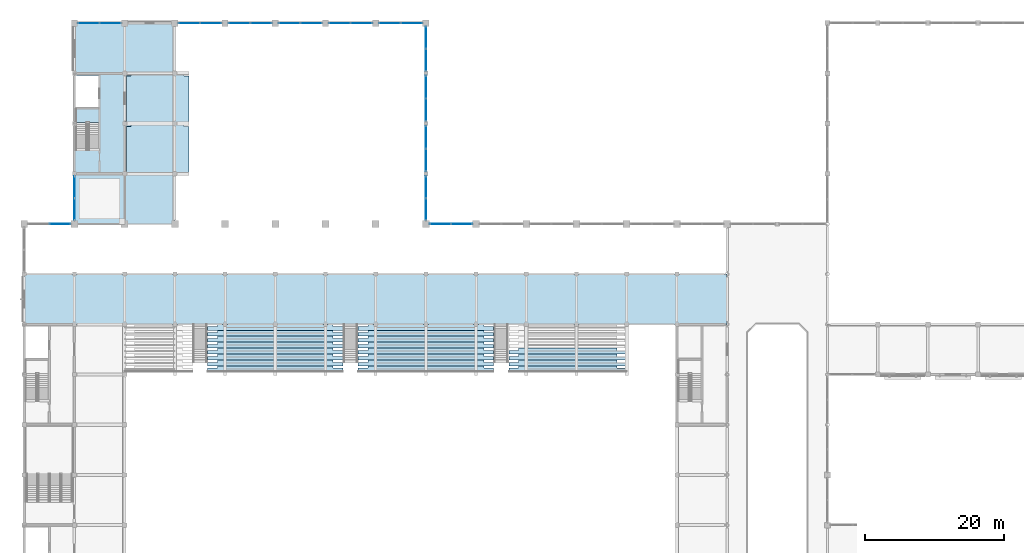
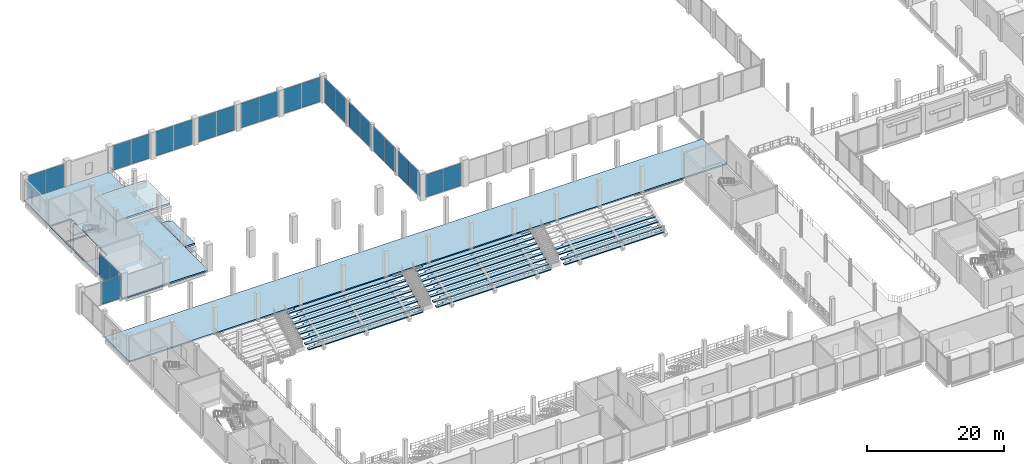
# One storey, part 57 of 99: 25 plates, 25 slabs, 14 elements without a shape of their own.
"""IFC4 building model written with IfcOpenShell, lengths in metres."""

from ifc_helpers import new_model, si_unit, direction, frame, origin, origin_2d, place, context, subcontext, project, spatial, polyline, rectangle, outline, extrude, material, layer, layer_set, type_object, element, aggregate, save


model = new_model("IFC4")

# Units and contexts
model_context = context("Model", 3, precision=1e-05, world=origin(), true_north=direction((0.0, 1.0)))
body_context = subcontext(model_context, "Body", "Model", "MODEL_VIEW")
ifc_project = project(units=[si_unit("LENGTHUNIT", "METRE"), si_unit("AREAUNIT", "SQUARE_METRE"), si_unit("VOLUMEUNIT", "CUBIC_METRE"), si_unit("PLANEANGLEUNIT", "RADIAN"), si_unit("MASSUNIT", "GRAM", prefix="KILO")], contexts=[model_context])

# Site, building, storey
site_placement = place(None, origin())
site = spatial("IfcSite", under=ifc_project, at=site_placement, CompositionType="ELEMENT")
building_placement = place(site_placement, origin())
building = spatial("IfcBuilding", under=site, at=building_placement, Name="Vesperath Aquatics Centre", CompositionType="ELEMENT")
storey_placement = place(building_placement, frame((0.0, 0.0, 5.39990234375)))
storey = spatial("IfcBuildingStorey", under=building, at=storey_placement, Name="L01", CompositionType="ELEMENT", Elevation=5.39990234375)

# Curtain wall, plate
ifc_material_1 = material(Name="Thermally broken anodised bronze aluminium curtain wall", Category="aluminium")
curtain_wall_type_1 = type_object("IfcCurtainWallType", Name="CW-02", PredefinedType="NOTDEFINED", material=ifc_material_1)
curtain_wall_1_placement = place(storey_placement, origin())
curtain_wall_1 = element("IfcCurtainWall", 1, at=curtain_wall_1_placement, inside=storey, type_object=curtain_wall_type_1, Name="Facade Curtain Wall CW02 L01_N_00_12", PredefinedType="NOTDEFINED")
ifc_material_2 = material(Name="Triple low-E argon insulated vision glass", Category="glass")
ifc_layer_1 = layer(ifc_material_2, 0.035888671875)
ifc_layer_set_1 = layer_set([ifc_layer_1], Name="Triple low-E argon insulated vision glass")
plate_type_1 = type_object("IfcPlateType", Name="PT-CWP02", PredefinedType="CURTAIN_PANEL", material=ifc_layer_set_1)
plate_1_placement = place(storey_placement, frame((5.13134765625, 86.39990234375, 0.0751953125), z_axis=(0.0, 0.0, 1.0), x_axis=(1.0, 0.0, 0.0)))
plate_1 = element("IfcPlate", 2, at=plate_1_placement, type_object=plate_type_1, Name="CW02 panel 2.1", PredefinedType="CURTAIN_PANEL", context=body_context, shape_type="SweptSolid", body=[
    extrude(rectangle(XDim=2.987548828125, YDim=0.035888671875, at=origin_2d()), origin(), (0.0, 0.0, 1.0), 4.0400390625),
])
aggregate(curtain_wall_1, [plate_1])

# Curtain wall, plates
curtain_wall_2_placement = place(storey_placement, origin())
curtain_wall_2 = element("IfcCurtainWall", 3, at=curtain_wall_2_placement, inside=storey, type_object=curtain_wall_type_1, Name="Facade Curtain Wall CW02 L01_N_08_12", PredefinedType="NOTDEFINED")
plate_2_placement = place(storey_placement, frame((59.668701171875, 86.39990234375, 0.0751953125), z_axis=(0.0, 0.0, 1.0), x_axis=(1.0, 0.0, 0.0)))
plate_2 = element("IfcPlate", 4, at=plate_2_placement, type_object=plate_type_1, Name="CW02 panel 1.1", PredefinedType="CURTAIN_PANEL", context=body_context, shape_type="SweptSolid", body=[
    extrude(rectangle(XDim=2.987548828125, YDim=0.035888671875, at=origin_2d()), origin(), (0.0, 0.0, 1.0), 4.0400390625),
])
plate_3_placement = place(storey_placement, frame((62.731201171875, 86.39990234375, 0.0751953125), z_axis=(0.0, 0.0, 1.0), x_axis=(1.0, 0.0, 0.0)))
plate_3 = element("IfcPlate", 5, at=plate_3_placement, type_object=plate_type_1, Name="CW02 panel 2.1", PredefinedType="CURTAIN_PANEL", context=body_context, shape_type="SweptSolid", body=[
    extrude(rectangle(XDim=2.987548828125, YDim=0.035888671875, at=origin_2d()), origin(), (0.0, 0.0, 1.0), 4.0400390625),
])
aggregate(curtain_wall_2, [plate_2, plate_3])

curtain_wall_3_placement = place(storey_placement, origin())
curtain_wall_3 = element("IfcCurtainWall", 6, at=curtain_wall_3_placement, inside=storey, type_object=curtain_wall_type_1, Name="Facade Curtain Wall CW02 L01_N_01_16", PredefinedType="NOTDEFINED")
plate_4_placement = place(storey_placement, frame((9.24365234375, 115.199951171875, 0.0751953125), z_axis=(0.0, 0.0, 1.0), x_axis=(1.0, 0.0, 0.0)))
plate_4 = element("IfcPlate", 7, at=plate_4_placement, type_object=plate_type_1, Name="CW02 panel 1.1", PredefinedType="CURTAIN_PANEL", context=body_context, shape_type="SweptSolid", body=[
    extrude(rectangle(XDim=3.03759765625, YDim=0.035888671875, at=origin_2d()), origin(), (0.0, 0.0, 1.0), 4.0400390625),
])
plate_5_placement = place(storey_placement, frame((12.356201171875, 115.199951171875, 0.0751953125), z_axis=(0.0, 0.0, 1.0), x_axis=(1.0, 0.0, 0.0)))
plate_5 = element("IfcPlate", 8, at=plate_5_placement, type_object=plate_type_1, Name="CW02 panel 2.1", PredefinedType="CURTAIN_PANEL", context=body_context, shape_type="SweptSolid", body=[
    extrude(rectangle(XDim=3.03759765625, YDim=0.035888671875, at=origin_2d()), origin(), (0.0, 0.0, 1.0), 4.0400390625),
])
aggregate(curtain_wall_3, [plate_4, plate_5])

curtain_wall_4_placement = place(storey_placement, origin())
curtain_wall_4 = element("IfcCurtainWall", 9, at=curtain_wall_4_placement, inside=storey, type_object=curtain_wall_type_1, Name="Facade Curtain Wall CW02 L01_N_03_16", PredefinedType="NOTDEFINED")
plate_6_placement = place(storey_placement, frame((23.643798828125, 115.199951171875, 0.0751953125), z_axis=(0.0, 0.0, 1.0), x_axis=(1.0, 0.0, 0.0)))
plate_6 = element("IfcPlate", 10, at=plate_6_placement, type_object=plate_type_1, Name="CW02 panel 1.1", PredefinedType="CURTAIN_PANEL", context=body_context, shape_type="SweptSolid", body=[
    extrude(rectangle(XDim=3.03759765625, YDim=0.035888671875, at=origin_2d()), origin(), (0.0, 0.0, 1.0), 4.389892578125),
])
plate_7_placement = place(storey_placement, frame((26.75634765625, 115.199951171875, 0.0751953125), z_axis=(0.0, 0.0, 1.0), x_axis=(1.0, 0.0, 0.0)))
plate_7 = element("IfcPlate", 11, at=plate_7_placement, type_object=plate_type_1, Name="CW02 panel 2.1", PredefinedType="CURTAIN_PANEL", context=body_context, shape_type="SweptSolid", body=[
    extrude(rectangle(XDim=3.03759765625, YDim=0.035888671875, at=origin_2d()), origin(), (0.0, 0.0, 1.0), 4.389892578125),
])
aggregate(curtain_wall_4, [plate_6, plate_7])

curtain_wall_5_placement = place(storey_placement, origin())
curtain_wall_5 = element("IfcCurtainWall", 12, at=curtain_wall_5_placement, inside=storey, type_object=curtain_wall_type_1, Name="Facade Curtain Wall CW02 L01_N_04_16", PredefinedType="NOTDEFINED")
plate_8_placement = place(storey_placement, frame((30.84375, 115.199951171875, 0.0751953125), z_axis=(0.0, 0.0, 1.0), x_axis=(1.0, 0.0, 0.0)))
plate_8 = element("IfcPlate", 13, at=plate_8_placement, type_object=plate_type_1, Name="CW02 panel 1.1", PredefinedType="CURTAIN_PANEL", context=body_context, shape_type="SweptSolid", body=[
    extrude(rectangle(XDim=3.03759765625, YDim=0.035888671875, at=origin_2d()), origin(), (0.0, 0.0, 1.0), 4.389892578125),
])
plate_9_placement = place(storey_placement, frame((33.956298828125, 115.199951171875, 0.0751953125), z_axis=(0.0, 0.0, 1.0), x_axis=(1.0, 0.0, 0.0)))
plate_9 = element("IfcPlate", 14, at=plate_9_placement, type_object=plate_type_1, Name="CW02 panel 2.1", PredefinedType="CURTAIN_PANEL", context=body_context, shape_type="SweptSolid", body=[
    extrude(rectangle(XDim=3.03759765625, YDim=0.035888671875, at=origin_2d()), origin(), (0.0, 0.0, 1.0), 4.389892578125),
])
aggregate(curtain_wall_5, [plate_8, plate_9])

curtain_wall_6_placement = place(storey_placement, origin())
curtain_wall_6 = element("IfcCurtainWall", 15, at=curtain_wall_6_placement, inside=storey, type_object=curtain_wall_type_1, Name="Facade Curtain Wall CW02 L01_N_05_16", PredefinedType="NOTDEFINED")
plate_10_placement = place(storey_placement, frame((38.043701171875, 115.199951171875, 0.0751953125), z_axis=(0.0, 0.0, 1.0), x_axis=(1.0, 0.0, 0.0)))
plate_10 = element("IfcPlate", 16, at=plate_10_placement, type_object=plate_type_1, Name="CW02 panel 1.1", PredefinedType="CURTAIN_PANEL", context=body_context, shape_type="SweptSolid", body=[
    extrude(rectangle(XDim=3.03759765625, YDim=0.035888671875, at=origin_2d()), origin(), (0.0, 0.0, 1.0), 4.389892578125),
])
plate_11_placement = place(storey_placement, frame((41.15625, 115.199951171875, 0.0751953125), z_axis=(0.0, 0.0, 1.0), x_axis=(1.0, 0.0, 0.0)))
plate_11 = element("IfcPlate", 17, at=plate_11_placement, type_object=plate_type_1, Name="CW02 panel 2.1", PredefinedType="CURTAIN_PANEL", context=body_context, shape_type="SweptSolid", body=[
    extrude(rectangle(XDim=3.03759765625, YDim=0.035888671875, at=origin_2d()), origin(), (0.0, 0.0, 1.0), 4.389892578125),
])
aggregate(curtain_wall_6, [plate_10, plate_11])

curtain_wall_7_placement = place(storey_placement, origin())
curtain_wall_7 = element("IfcCurtainWall", 18, at=curtain_wall_7_placement, inside=storey, type_object=curtain_wall_type_1, Name="Facade Curtain Wall CW02 L01_N_06_16", PredefinedType="NOTDEFINED")
plate_12_placement = place(storey_placement, frame((45.24365234375, 115.199951171875, 0.0751953125), z_axis=(0.0, 0.0, 1.0), x_axis=(1.0, 0.0, 0.0)))
plate_12 = element("IfcPlate", 19, at=plate_12_placement, type_object=plate_type_1, Name="CW02 panel 1.1", PredefinedType="CURTAIN_PANEL", context=body_context, shape_type="SweptSolid", body=[
    extrude(rectangle(XDim=3.03759765625, YDim=0.035888671875, at=origin_2d()), origin(), (0.0, 0.0, 1.0), 4.389892578125),
])
plate_13_placement = place(storey_placement, frame((48.356201171875, 115.199951171875, 0.0751953125), z_axis=(0.0, 0.0, 1.0), x_axis=(1.0, 0.0, 0.0)))
plate_13 = element("IfcPlate", 20, at=plate_13_placement, type_object=plate_type_1, Name="CW02 panel 2.1", PredefinedType="CURTAIN_PANEL", context=body_context, shape_type="SweptSolid", body=[
    extrude(rectangle(XDim=3.03759765625, YDim=0.035888671875, at=origin_2d()), origin(), (0.0, 0.0, 1.0), 4.389892578125),
])
aggregate(curtain_wall_7, [plate_12, plate_13])

curtain_wall_8_placement = place(storey_placement, origin())
curtain_wall_8 = element("IfcCurtainWall", 21, at=curtain_wall_8_placement, inside=storey, type_object=curtain_wall_type_1, Name="Facade Curtain Wall CW02 L01_N_07_16", PredefinedType="NOTDEFINED")
plate_14_placement = place(storey_placement, frame((52.44384765625, 115.199951171875, 0.0751953125), z_axis=(0.0, 0.0, 1.0), x_axis=(1.0, 0.0, 0.0)))
plate_14 = element("IfcPlate", 22, at=plate_14_placement, type_object=plate_type_1, Name="CW02 panel 1.1", PredefinedType="CURTAIN_PANEL", context=body_context, shape_type="SweptSolid", body=[
    extrude(rectangle(XDim=3.03759765625, YDim=0.035888671875, at=origin_2d()), origin(), (0.0, 0.0, 1.0), 4.389892578125),
])
plate_15_placement = place(storey_placement, frame((55.55615234375, 115.199951171875, 0.0751953125), z_axis=(0.0, 0.0, 1.0), x_axis=(1.0, 0.0, 0.0)))
plate_15 = element("IfcPlate", 23, at=plate_15_placement, type_object=plate_type_1, Name="CW02 panel 2.1", PredefinedType="CURTAIN_PANEL", context=body_context, shape_type="SweptSolid", body=[
    extrude(rectangle(XDim=3.03759765625, YDim=0.035888671875, at=origin_2d()), origin(), (0.0, 0.0, 1.0), 4.389892578125),
])
aggregate(curtain_wall_8, [plate_14, plate_15])

curtain_wall_9_placement = place(storey_placement, origin())
curtain_wall_9 = element("IfcCurtainWall", 24, at=curtain_wall_9_placement, inside=storey, type_object=curtain_wall_type_1, Name="Facade Curtain Wall CW02 L01_W_01_12", PredefinedType="NOTDEFINED")
plate_16_placement = place(storey_placement, frame((7.199951171875, 88.518798828125, 0.0751953125), z_axis=(0.0, 0.0, 1.0), x_axis=(0.0, 1.0, 0.0)))
plate_16 = element("IfcPlate", 25, at=plate_16_placement, type_object=plate_type_1, Name="CW02 panel 1.1", PredefinedType="CURTAIN_PANEL", context=body_context, shape_type="SweptSolid", body=[
    extrude(rectangle(XDim=3.08740234375, YDim=0.035888671875, at=origin_2d()), origin(), (0.0, 0.0, 1.0), 3.802001953125),
])
plate_17_placement = place(storey_placement, frame((7.199951171875, 91.68115234375, 0.0751953125), z_axis=(0.0, 0.0, 1.0), x_axis=(0.0, 1.0, 0.0)))
plate_17 = element("IfcPlate", 26, at=plate_17_placement, type_object=plate_type_1, Name="CW02 panel 2.1", PredefinedType="CURTAIN_PANEL", context=body_context, shape_type="SweptSolid", body=[
    extrude(rectangle(XDim=3.08740234375, YDim=0.035888671875, at=origin_2d()), origin(), (0.0, 0.0, 1.0), 3.802001953125),
])
aggregate(curtain_wall_9, [plate_16, plate_17])

curtain_wall_10_placement = place(storey_placement, origin())
curtain_wall_10 = element("IfcCurtainWall", 27, at=curtain_wall_10_placement, inside=storey, type_object=curtain_wall_type_1, Name="Facade Curtain Wall CW02 L01_E_08_12", PredefinedType="NOTDEFINED")
plate_18_placement = place(storey_placement, frame((57.60009765625, 88.518798828125, 0.0751953125), z_axis=(0.0, 0.0, 1.0), x_axis=(0.0, 1.0, 0.0)))
plate_18 = element("IfcPlate", 28, at=plate_18_placement, type_object=plate_type_1, Name="CW02 panel 1.1", PredefinedType="CURTAIN_PANEL", context=body_context, shape_type="SweptSolid", body=[
    extrude(rectangle(XDim=3.08740234375, YDim=0.035888671875, at=origin_2d()), origin(), (0.0, 0.0, 1.0), 4.389892578125),
])
plate_19_placement = place(storey_placement, frame((57.60009765625, 91.68115234375, 0.0751953125), z_axis=(0.0, 0.0, 1.0), x_axis=(0.0, 1.0, 0.0)))
plate_19 = element("IfcPlate", 29, at=plate_19_placement, type_object=plate_type_1, Name="CW02 panel 2.1", PredefinedType="CURTAIN_PANEL", context=body_context, shape_type="SweptSolid", body=[
    extrude(rectangle(XDim=3.08740234375, YDim=0.035888671875, at=origin_2d()), origin(), (0.0, 0.0, 1.0), 4.389892578125),
])
aggregate(curtain_wall_10, [plate_18, plate_19])

curtain_wall_type_2 = type_object("IfcCurtainWallType", Name="CW-06", PredefinedType="NOTDEFINED", material=ifc_material_1)
curtain_wall_11_placement = place(storey_placement, origin())
curtain_wall_11 = element("IfcCurtainWall", 30, at=curtain_wall_11_placement, inside=storey, type_object=curtain_wall_type_2, Name="Facade Curtain Wall CW06 L01_E_08_13", PredefinedType="NOTDEFINED")
ifc_layer_2 = layer(ifc_material_2, 0.035888671875)
ifc_layer_set_2 = layer_set([ifc_layer_2], Name="Triple low-E argon insulated vision glass")
plate_type_2 = type_object("IfcPlateType", Name="PT-CWP05", PredefinedType="CURTAIN_PANEL", material=ifc_layer_set_2)
plate_20_placement = place(storey_placement, frame((57.60009765625, 95.56884765625, 0.0751953125), z_axis=(0.0, 0.0, 1.0), x_axis=(0.0, 1.0, 0.0)))
plate_20 = element("IfcPlate", 31, at=plate_20_placement, type_object=plate_type_2, Name="CW06 panel 1.1", PredefinedType="CURTAIN_PANEL", context=body_context, shape_type="SweptSolid", body=[
    extrude(rectangle(XDim=3.1875, YDim=0.035888671875, at=origin_2d()), origin(), (0.0, 0.0, 1.0), 4.389892578125),
])
plate_21_placement = place(storey_placement, frame((57.60009765625, 98.831298828125, 0.0751953125), z_axis=(0.0, 0.0, 1.0), x_axis=(0.0, 1.0, 0.0)))
plate_21 = element("IfcPlate", 32, at=plate_21_placement, type_object=plate_type_2, Name="CW06 panel 2.1", PredefinedType="CURTAIN_PANEL", context=body_context, shape_type="SweptSolid", body=[
    extrude(rectangle(XDim=3.1875, YDim=0.035888671875, at=origin_2d()), origin(), (0.0, 0.0, 1.0), 4.389892578125),
])
aggregate(curtain_wall_11, [plate_20, plate_21])

curtain_wall_12_placement = place(storey_placement, origin())
curtain_wall_12 = element("IfcCurtainWall", 33, at=curtain_wall_12_placement, inside=storey, type_object=curtain_wall_type_2, Name="Facade Curtain Wall CW06 L01_E_08_14", PredefinedType="NOTDEFINED")
plate_22_placement = place(storey_placement, frame((57.60009765625, 102.768798828125, 0.0751953125), z_axis=(0.0, 0.0, 1.0), x_axis=(0.0, 1.0, 0.0)))
plate_22 = element("IfcPlate", 34, at=plate_22_placement, type_object=plate_type_2, Name="CW06 panel 1.1", PredefinedType="CURTAIN_PANEL", context=body_context, shape_type="SweptSolid", body=[
    extrude(rectangle(XDim=3.1875, YDim=0.035888671875, at=origin_2d()), origin(), (0.0, 0.0, 1.0), 4.389892578125),
])
plate_23_placement = place(storey_placement, frame((57.60009765625, 106.03125, 0.0751953125), z_axis=(0.0, 0.0, 1.0), x_axis=(0.0, 1.0, 0.0)))
plate_23 = element("IfcPlate", 35, at=plate_23_placement, type_object=plate_type_2, Name="CW06 panel 2.1", PredefinedType="CURTAIN_PANEL", context=body_context, shape_type="SweptSolid", body=[
    extrude(rectangle(XDim=3.1875, YDim=0.035888671875, at=origin_2d()), origin(), (0.0, 0.0, 1.0), 4.389892578125),
])
aggregate(curtain_wall_12, [plate_22, plate_23])

curtain_wall_13_placement = place(storey_placement, origin())
curtain_wall_13 = element("IfcCurtainWall", 36, at=curtain_wall_13_placement, inside=storey, type_object=curtain_wall_type_2, Name="Facade Curtain Wall CW06 L01_E_08_15", PredefinedType="NOTDEFINED")
plate_24_placement = place(storey_placement, frame((57.60009765625, 109.93115234375, 0.0751953125), z_axis=(0.0, 0.0, 1.0), x_axis=(0.0, 1.0, 0.0)))
plate_24 = element("IfcPlate", 37, at=plate_24_placement, type_object=plate_type_2, Name="CW06 panel 1.1", PredefinedType="CURTAIN_PANEL", context=body_context, shape_type="SweptSolid", body=[
    extrude(rectangle(XDim=3.112548828125, YDim=0.035888671875, at=origin_2d()), origin(), (0.0, 0.0, 1.0), 4.389892578125),
])
plate_25_placement = place(storey_placement, frame((57.60009765625, 113.11865234375, 0.0751953125), z_axis=(0.0, 0.0, 1.0), x_axis=(0.0, 1.0, 0.0)))
plate_25 = element("IfcPlate", 38, at=plate_25_placement, type_object=plate_type_2, Name="CW06 panel 2.1", PredefinedType="CURTAIN_PANEL", context=body_context, shape_type="SweptSolid", body=[
    extrude(rectangle(XDim=3.112548828125, YDim=0.035888671875, at=origin_2d()), origin(), (0.0, 0.0, 1.0), 4.389892578125),
])
aggregate(curtain_wall_13, [plate_24, plate_25])

# Slabs
ifc_material_3 = material(Name="Concrete C40", Category="concrete")
ifc_layer_3 = layer(ifc_material_3, 0.320068359375)
ifc_layer_set_3 = layer_set([ifc_layer_3], Name="Concrete C40")
slab_type_1 = type_object("IfcSlabType", Name="SL-DP01", PredefinedType="FLOOR", material=ifc_layer_set_3)
slab_1_placement = place(storey_placement, frame((0.0, 0.0, -0.719970703125)))
element("IfcSlab", 39, at=slab_1_placement, inside=storey, type_object=slab_type_1, Name="Diving Platform Slab DP 5M", PredefinedType="FLOOR", context=body_context, shape_type="SweptSolid", body=[
    extrude(outline(polyline([(14.60009765625, 93.75), (23.60009765625, 93.75), (23.60009765625, 100.39990234375), (22.89990234375, 100.39990234375), (22.89990234375, 100.64990234375), (15.300048828125, 100.64990234375), (15.300048828125, 100.39990234375), (14.60009765625, 100.39990234375), (14.60009765625, 93.75)])), origin(), (0.0, 0.0, 1.0), 0.320068359375),
])
slab_2_placement = place(storey_placement, frame((0.0, 0.0, 2.080078125)))
element("IfcSlab", 40, at=slab_2_placement, inside=storey, type_object=slab_type_1, Name="Diving Platform Slab DP 7M5", PredefinedType="FLOOR", context=body_context, shape_type="SweptSolid", body=[
    extrude(outline(polyline([(14.60009765625, 100.949951171875), (23.60009765625, 100.949951171875), (23.60009765625, 107.60009765625), (22.89990234375, 107.60009765625), (22.89990234375, 107.85009765625), (15.300048828125, 107.85009765625), (15.300048828125, 107.60009765625), (14.60009765625, 107.60009765625), (14.60009765625, 100.949951171875)])), origin(), (0.0, 0.0, 1.0), 0.320068359375),
])
ifc_material_4 = material(Name="Concrete C35", Category="concrete")
ifc_layer_4 = layer(ifc_material_4, 0.260009765625)
ifc_layer_set_4 = layer_set([ifc_layer_4], Name="Concrete C35")
slab_type_2 = type_object("IfcSlabType", Name="SL-FL02", PredefinedType="FLOOR", material=ifc_layer_set_4)
slab_3_placement = place(storey_placement, frame((0.0, 0.0, -0.260009765625)))
element("IfcSlab", 41, at=slab_3_placement, inside=storey, type_object=slab_type_2, Name="North Spectator Concourse Slab SL02 L01", PredefinedType="FLOOR", context=body_context, shape_type="SweptSolid", body=[
    extrude(outline(polyline([(0.0, 72.0), (100.800048828125, 72.0), (100.800048828125, 79.199951171875), (0.0, 79.199951171875), (0.0, 72.0)])), origin(), (0.0, 0.0, 1.0), 0.260009765625),
])
slab_4_placement = place(storey_placement, frame((0.0, 0.0, -0.260009765625)))
element("IfcSlab", 42, at=slab_4_placement, inside=storey, type_object=slab_type_2, Name="Diving Viewing Gallery Slab SL02 L01", PredefinedType="FLOOR", context=body_context, shape_type="SweptSolid", body=[
    extrude(outline(polyline([(7.199951171875, 86.39990234375), (21.60009765625, 86.39990234375), (21.60009765625, 115.199951171875), (7.199951171875, 115.199951171875), (7.199951171875, 86.39990234375)]), holes=[polyline([(7.280029296875, 97.050048828125), (10.739990234375, 97.050048828125), (10.739990234375, 102.9599609375), (7.280029296875, 102.9599609375), (7.280029296875, 97.050048828125)]), polyline([(7.280029296875, 103.139892578125), (10.739990234375, 103.139892578125), (10.739990234375, 107.679931640625), (7.280029296875, 107.679931640625), (7.280029296875, 103.139892578125)])]), origin(), (0.0, 0.0, 1.0), 0.260009765625),
])

# Stair, slab
stair_type = type_object("IfcStairType", Name="ST-HT48", PredefinedType="HALF_TURN_STAIR", material=ifc_material_4)
stair_placement = place(storey_placement, origin())
stair = element("IfcStair", 43, at=stair_placement, inside=storey, type_object=stair_type, Name="Enclosed Exit Stair ST3 L01", PredefinedType="HALF_TURN_STAIR")
ifc_layer_5 = layer(ifc_material_4, 0.199951171875)
ifc_layer_set_5 = layer_set([ifc_layer_5], Name="Concrete C35")
slab_type_3 = type_object("IfcSlabType", Name="SL-LND1", PredefinedType="LANDING", material=ifc_layer_set_5)
slab_5_placement = place(storey_placement, frame((0.0, 0.0, 2.2001953125)))
slab_5 = element("IfcSlab", 44, at=slab_5_placement, type_object=slab_type_3, Name="Stair ST3 Half-Landing L01", PredefinedType="LANDING", context=body_context, shape_type="SweptSolid", body=[
    extrude(outline(polyline([(7.2900390625, 100.93994140625), (10.719970703125, 100.93994140625), (10.719970703125, 102.89990234375), (7.2900390625, 102.89990234375), (7.2900390625, 100.93994140625)])), origin(), (0.0, 0.0, 1.0), 0.199951171875),
])
aggregate(stair, [slab_5])

# Slabs
ifc_material_5 = material(Name="Precast concrete C35", Category="concrete")
ifc_layer_6 = layer(ifc_material_5, 0.179931640625)
ifc_layer_set_6 = layer_set([ifc_layer_6], Name="Precast concrete C35")
slab_type_4 = type_object("IfcSlabType", Name="SL-ST01", PredefinedType="USERDEFINED", material=ifc_layer_set_6)
slab_6_placement = place(storey_placement, frame((0.0, 0.0, -0.3798828125)))
element("IfcSlab", 45, at=slab_6_placement, inside=storey, type_object=slab_type_4, Name="Stand Lower North B2 Row 1", ObjectType="SEATING TIER", PredefinedType="USERDEFINED", context=body_context, shape_type="SweptSolid", body=[
    extrude(outline(polyline([(26.300048828125, 71.14990234375), (45.699951171875, 71.14990234375), (45.699951171875, 71.659912109375), (44.300048828125, 71.659912109375), (44.300048828125, 72.0), (27.699951171875, 72.0), (27.699951171875, 71.659912109375), (26.300048828125, 71.659912109375), (26.300048828125, 71.14990234375)])), origin(), (0.0, 0.0, 1.0), 0.179931640625),
])
slab_7_placement = place(storey_placement, frame((0.0, 0.0, -0.3798828125)))
element("IfcSlab", 46, at=slab_7_placement, inside=storey, type_object=slab_type_4, Name="Stand Lower North B3 Row 1", ObjectType="SEATING TIER", PredefinedType="USERDEFINED", context=body_context, shape_type="SweptSolid", body=[
    extrude(outline(polyline([(47.89990234375, 71.14990234375), (67.300048828125, 71.14990234375), (67.300048828125, 71.659912109375), (65.89990234375, 71.659912109375), (65.89990234375, 72.0), (49.300048828125, 72.0), (49.300048828125, 71.659912109375), (47.89990234375, 71.659912109375), (47.89990234375, 71.14990234375)])), origin(), (0.0, 0.0, 1.0), 0.179931640625),
])
slab_8_placement = place(storey_placement, frame((0.0, 0.0, -0.77978515625)))
element("IfcSlab", 47, at=slab_8_placement, inside=storey, type_object=slab_type_4, Name="Stand Lower North B2 Row 2", ObjectType="SEATING TIER", PredefinedType="USERDEFINED", context=body_context, shape_type="SweptSolid", body=[
    extrude(outline(polyline([(26.300048828125, 70.300048828125), (45.699951171875, 70.300048828125), (45.699951171875, 70.81005859375), (44.300048828125, 70.81005859375), (44.300048828125, 71.14990234375), (27.699951171875, 71.14990234375), (27.699951171875, 70.81005859375), (26.300048828125, 70.81005859375), (26.300048828125, 70.300048828125)])), origin(), (0.0, 0.0, 1.0), 0.179931640625),
])
slab_9_placement = place(storey_placement, frame((0.0, 0.0, -0.77978515625)))
element("IfcSlab", 48, at=slab_9_placement, inside=storey, type_object=slab_type_4, Name="Stand Lower North B3 Row 2", ObjectType="SEATING TIER", PredefinedType="USERDEFINED", context=body_context, shape_type="SweptSolid", body=[
    extrude(outline(polyline([(47.89990234375, 70.300048828125), (67.300048828125, 70.300048828125), (67.300048828125, 70.81005859375), (65.89990234375, 70.81005859375), (65.89990234375, 71.14990234375), (49.300048828125, 71.14990234375), (49.300048828125, 70.81005859375), (47.89990234375, 70.81005859375), (47.89990234375, 70.300048828125)])), origin(), (0.0, 0.0, 1.0), 0.179931640625),
])
slab_10_placement = place(storey_placement, frame((0.0, 0.0, -1.179931640625)))
element("IfcSlab", 49, at=slab_10_placement, inside=storey, type_object=slab_type_4, Name="Stand Lower North B2 Row 3", ObjectType="SEATING TIER", PredefinedType="USERDEFINED", context=body_context, shape_type="SweptSolid", body=[
    extrude(outline(polyline([(26.300048828125, 69.449951171875), (45.699951171875, 69.449951171875), (45.699951171875, 69.9599609375), (44.300048828125, 69.9599609375), (44.300048828125, 70.300048828125), (27.699951171875, 70.300048828125), (27.699951171875, 69.9599609375), (26.300048828125, 69.9599609375), (26.300048828125, 69.449951171875)])), origin(), (0.0, 0.0, 1.0), 0.179931640625),
])
slab_11_placement = place(storey_placement, frame((0.0, 0.0, -1.179931640625)))
element("IfcSlab", 50, at=slab_11_placement, inside=storey, type_object=slab_type_4, Name="Stand Lower North B3 Row 3", ObjectType="SEATING TIER", PredefinedType="USERDEFINED", context=body_context, shape_type="SweptSolid", body=[
    extrude(outline(polyline([(47.89990234375, 69.449951171875), (67.300048828125, 69.449951171875), (67.300048828125, 69.9599609375), (65.89990234375, 69.9599609375), (65.89990234375, 70.300048828125), (49.300048828125, 70.300048828125), (49.300048828125, 69.9599609375), (47.89990234375, 69.9599609375), (47.89990234375, 69.449951171875)])), origin(), (0.0, 0.0, 1.0), 0.179931640625),
])
slab_12_placement = place(storey_placement, frame((0.0, 0.0, -1.579833984375)))
element("IfcSlab", 51, at=slab_12_placement, inside=storey, type_object=slab_type_4, Name="Stand Lower North B2 Row 4", ObjectType="SEATING TIER", PredefinedType="USERDEFINED", context=body_context, shape_type="SweptSolid", body=[
    extrude(outline(polyline([(26.300048828125, 68.60009765625), (45.699951171875, 68.60009765625), (45.699951171875, 69.110107421875), (44.300048828125, 69.110107421875), (44.300048828125, 69.449951171875), (27.699951171875, 69.449951171875), (27.699951171875, 69.110107421875), (26.300048828125, 69.110107421875), (26.300048828125, 68.60009765625)])), origin(), (0.0, 0.0, 1.0), 0.179931640625),
])
slab_13_placement = place(storey_placement, frame((0.0, 0.0, -1.579833984375)))
element("IfcSlab", 52, at=slab_13_placement, inside=storey, type_object=slab_type_4, Name="Stand Lower North B3 Row 4", ObjectType="SEATING TIER", PredefinedType="USERDEFINED", context=body_context, shape_type="SweptSolid", body=[
    extrude(outline(polyline([(47.89990234375, 68.60009765625), (67.300048828125, 68.60009765625), (67.300048828125, 69.110107421875), (65.89990234375, 69.110107421875), (65.89990234375, 69.449951171875), (49.300048828125, 69.449951171875), (49.300048828125, 69.110107421875), (47.89990234375, 69.110107421875), (47.89990234375, 68.60009765625)])), origin(), (0.0, 0.0, 1.0), 0.179931640625),
])
slab_14_placement = place(storey_placement, frame((0.0, 0.0, -1.97998046875)))
element("IfcSlab", 53, at=slab_14_placement, inside=storey, type_object=slab_type_4, Name="Stand Lower North B2 Row 5", ObjectType="SEATING TIER", PredefinedType="USERDEFINED", context=body_context, shape_type="SweptSolid", body=[
    extrude(outline(polyline([(26.300048828125, 67.75), (45.699951171875, 67.75), (45.699951171875, 68.260009765625), (44.300048828125, 68.260009765625), (44.300048828125, 68.60009765625), (27.699951171875, 68.60009765625), (27.699951171875, 68.260009765625), (26.300048828125, 68.260009765625), (26.300048828125, 67.75)])), origin(), (0.0, 0.0, 1.0), 0.18017578125),
])
slab_15_placement = place(storey_placement, frame((0.0, 0.0, -1.97998046875)))
element("IfcSlab", 54, at=slab_15_placement, inside=storey, type_object=slab_type_4, Name="Stand Lower North B3 Row 5", ObjectType="SEATING TIER", PredefinedType="USERDEFINED", context=body_context, shape_type="SweptSolid", body=[
    extrude(outline(polyline([(47.89990234375, 67.75), (67.300048828125, 67.75), (67.300048828125, 68.260009765625), (65.89990234375, 68.260009765625), (65.89990234375, 68.60009765625), (49.300048828125, 68.60009765625), (49.300048828125, 68.260009765625), (47.89990234375, 68.260009765625), (47.89990234375, 67.75)])), origin(), (0.0, 0.0, 1.0), 0.18017578125),
])
slab_16_placement = place(storey_placement, frame((0.0, 0.0, -1.97998046875)))
element("IfcSlab", 55, at=slab_16_placement, inside=storey, type_object=slab_type_4, Name="Stand Lower North B4 Row 5", ObjectType="SEATING TIER", PredefinedType="USERDEFINED", context=body_context, shape_type="SweptSolid", body=[
    extrude(outline(polyline([(69.5, 67.75), (86.39990234375, 67.75), (86.39990234375, 68.260009765625), (85.0, 68.260009765625), (85.0, 68.60009765625), (70.89990234375, 68.60009765625), (70.89990234375, 68.260009765625), (69.5, 68.260009765625), (69.5, 67.75)])), origin(), (0.0, 0.0, 1.0), 0.18017578125),
])
slab_17_placement = place(storey_placement, frame((0.0, 0.0, -2.3798828125)))
element("IfcSlab", 56, at=slab_17_placement, inside=storey, type_object=slab_type_4, Name="Stand Lower North B2 Row 6", ObjectType="SEATING TIER", PredefinedType="USERDEFINED", context=body_context, shape_type="SweptSolid", body=[
    extrude(outline(polyline([(26.300048828125, 66.89990234375), (45.699951171875, 66.89990234375), (45.699951171875, 67.409912109375), (44.300048828125, 67.409912109375), (44.300048828125, 67.75), (27.699951171875, 67.75), (27.699951171875, 67.409912109375), (26.300048828125, 67.409912109375), (26.300048828125, 66.89990234375)])), origin(), (0.0, 0.0, 1.0), 0.179931640625),
])
slab_18_placement = place(storey_placement, frame((0.0, 0.0, -2.3798828125)))
element("IfcSlab", 57, at=slab_18_placement, inside=storey, type_object=slab_type_4, Name="Stand Lower North B3 Row 6", ObjectType="SEATING TIER", PredefinedType="USERDEFINED", context=body_context, shape_type="SweptSolid", body=[
    extrude(outline(polyline([(47.89990234375, 66.89990234375), (67.300048828125, 66.89990234375), (67.300048828125, 67.409912109375), (65.89990234375, 67.409912109375), (65.89990234375, 67.75), (49.300048828125, 67.75), (49.300048828125, 67.409912109375), (47.89990234375, 67.409912109375), (47.89990234375, 66.89990234375)])), origin(), (0.0, 0.0, 1.0), 0.179931640625),
])
slab_19_placement = place(storey_placement, frame((0.0, 0.0, -2.3798828125)))
element("IfcSlab", 58, at=slab_19_placement, inside=storey, type_object=slab_type_4, Name="Stand Lower North B4 Row 6", ObjectType="SEATING TIER", PredefinedType="USERDEFINED", context=body_context, shape_type="SweptSolid", body=[
    extrude(outline(polyline([(69.5, 66.89990234375), (86.39990234375, 66.89990234375), (86.39990234375, 67.409912109375), (85.0, 67.409912109375), (85.0, 67.75), (70.89990234375, 67.75), (70.89990234375, 67.409912109375), (69.5, 67.409912109375), (69.5, 66.89990234375)])), origin(), (0.0, 0.0, 1.0), 0.179931640625),
])
slab_20_placement = place(storey_placement, frame((0.0, 0.0, -2.77978515625)))
element("IfcSlab", 59, at=slab_20_placement, inside=storey, type_object=slab_type_4, Name="Stand Lower North B2 Row 7", ObjectType="SEATING TIER", PredefinedType="USERDEFINED", context=body_context, shape_type="SweptSolid", body=[
    extrude(outline(polyline([(26.300048828125, 66.050048828125), (45.699951171875, 66.050048828125), (45.699951171875, 66.56005859375), (44.300048828125, 66.56005859375), (44.300048828125, 66.89990234375), (27.699951171875, 66.89990234375), (27.699951171875, 66.56005859375), (26.300048828125, 66.56005859375), (26.300048828125, 66.050048828125)])), origin(), (0.0, 0.0, 1.0), 0.179931640625),
])
slab_21_placement = place(storey_placement, frame((0.0, 0.0, -2.77978515625)))
element("IfcSlab", 60, at=slab_21_placement, inside=storey, type_object=slab_type_4, Name="Stand Lower North B3 Row 7", ObjectType="SEATING TIER", PredefinedType="USERDEFINED", context=body_context, shape_type="SweptSolid", body=[
    extrude(outline(polyline([(47.89990234375, 66.050048828125), (67.300048828125, 66.050048828125), (67.300048828125, 66.56005859375), (65.89990234375, 66.56005859375), (65.89990234375, 66.89990234375), (49.300048828125, 66.89990234375), (49.300048828125, 66.56005859375), (47.89990234375, 66.56005859375), (47.89990234375, 66.050048828125)])), origin(), (0.0, 0.0, 1.0), 0.179931640625),
])
slab_22_placement = place(storey_placement, frame((0.0, 0.0, -2.77978515625)))
element("IfcSlab", 61, at=slab_22_placement, inside=storey, type_object=slab_type_4, Name="Stand Lower North B4 Row 7", ObjectType="SEATING TIER", PredefinedType="USERDEFINED", context=body_context, shape_type="SweptSolid", body=[
    extrude(outline(polyline([(69.5, 66.050048828125), (86.39990234375, 66.050048828125), (86.39990234375, 66.56005859375), (85.0, 66.56005859375), (85.0, 66.89990234375), (70.89990234375, 66.89990234375), (70.89990234375, 66.56005859375), (69.5, 66.56005859375), (69.5, 66.050048828125)])), origin(), (0.0, 0.0, 1.0), 0.179931640625),
])
slab_23_placement = place(storey_placement, frame((0.0, 0.0, -3.179931640625)))
element("IfcSlab", 62, at=slab_23_placement, inside=storey, type_object=slab_type_4, Name="Stand Lower North B2 Row 8", ObjectType="SEATING TIER", PredefinedType="USERDEFINED", context=body_context, shape_type="SweptSolid", body=[
    extrude(outline(polyline([(26.300048828125, 65.199951171875), (45.699951171875, 65.199951171875), (45.699951171875, 65.7099609375), (44.300048828125, 65.7099609375), (44.300048828125, 66.050048828125), (27.699951171875, 66.050048828125), (27.699951171875, 65.7099609375), (26.300048828125, 65.7099609375), (26.300048828125, 65.199951171875)])), origin(), (0.0, 0.0, 1.0), 0.179931640625),
])
slab_24_placement = place(storey_placement, frame((0.0, 0.0, -3.179931640625)))
element("IfcSlab", 63, at=slab_24_placement, inside=storey, type_object=slab_type_4, Name="Stand Lower North B3 Row 8", ObjectType="SEATING TIER", PredefinedType="USERDEFINED", context=body_context, shape_type="SweptSolid", body=[
    extrude(outline(polyline([(47.89990234375, 65.199951171875), (67.300048828125, 65.199951171875), (67.300048828125, 65.7099609375), (65.89990234375, 65.7099609375), (65.89990234375, 66.050048828125), (49.300048828125, 66.050048828125), (49.300048828125, 65.7099609375), (47.89990234375, 65.7099609375), (47.89990234375, 65.199951171875)])), origin(), (0.0, 0.0, 1.0), 0.179931640625),
])
slab_25_placement = place(storey_placement, frame((0.0, 0.0, -3.179931640625)))
element("IfcSlab", 64, at=slab_25_placement, inside=storey, type_object=slab_type_4, Name="Stand Lower North B4 Row 8", ObjectType="SEATING TIER", PredefinedType="USERDEFINED", context=body_context, shape_type="SweptSolid", body=[
    extrude(outline(polyline([(69.5, 65.199951171875), (86.39990234375, 65.199951171875), (86.39990234375, 65.7099609375), (85.0, 65.7099609375), (85.0, 66.050048828125), (70.89990234375, 66.050048828125), (70.89990234375, 65.7099609375), (69.5, 65.7099609375), (69.5, 65.199951171875)])), origin(), (0.0, 0.0, 1.0), 0.179931640625),
])

save(model, "model.ifc")
